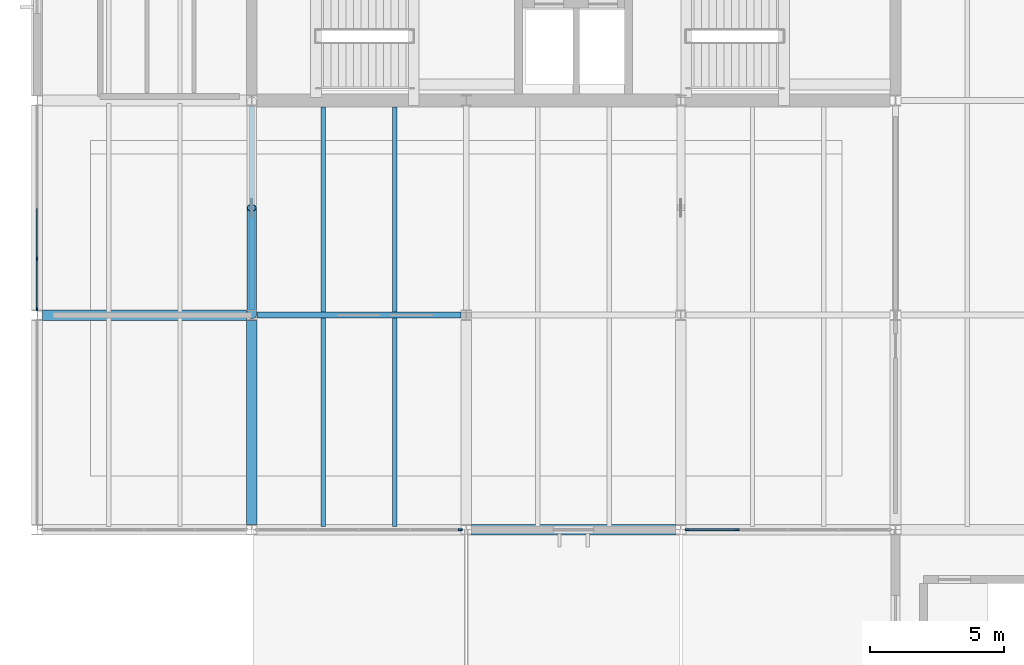
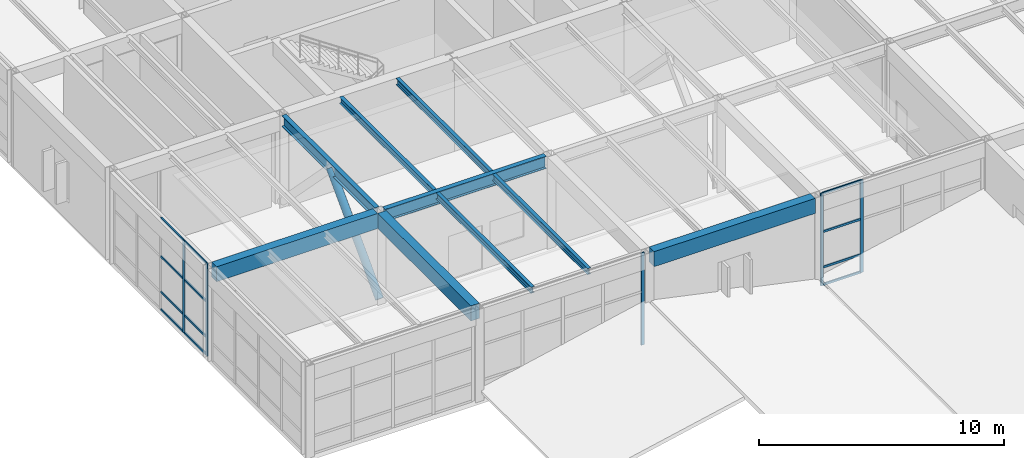
# One storey, part 10 of 60: 18 members, 9 beams, 3 elements without a shape of their own.
"""IFC4 building model written with IfcOpenShell, lengths in metres."""

import ifcopenshell
import ifcopenshell.guid

model = None  # the IFC model being written
_history = None  # IfcOwnerHistory: only IFC2X3 demands one
_inside = {}  # id of a spatial element -> (the spatial element, [elements in it])
_under = {}  # id of a project, library or spatial element -> (it, [spatial elements below it])
_declared = {}  # id of a project -> (the project, [libraries it declares])
_typed = {}  # id of a type object -> (the type object, [elements of that type])
_made_of = {}  # id of a material, layer set ... -> (it, [elements and type objects made of it])


def new_model(schema):
    """Start an empty IFC model of exactly this schema.

    Asked for "IFC4X3", IfcOpenShell would pick the latest addendum, in which some entities
    have other attributes; the version numbers below select the first issue.
    IFC2X3 requires an IfcOwnerHistory on every rooted entity: one is made here for all.
    """
    global model, _history
    if schema == "IFC4X3":
        model = ifcopenshell.file(schema_version=(4, 3, 0, 0))
    else:
        model = ifcopenshell.file(schema=schema)
    _inside.clear()
    _under.clear()
    _declared.clear()
    _typed.clear()
    _made_of.clear()
    _history = None
    if model.schema == "IFC2X3":
        org = make("IfcOrganization", Name="unknown")
        user = make(
            "IfcPersonAndOrganization",
            ThePerson=make("IfcPerson", FamilyName="unknown"),
            TheOrganization=org,
        )
        app = make(
            "IfcApplication",
            ApplicationDeveloper=org,
            Version="unknown",
            ApplicationFullName="unknown",
            ApplicationIdentifier="unknown",
        )
        _history = make(
            "IfcOwnerHistory",
            OwningUser=user,
            OwningApplication=app,
            ChangeAction="ADDED",
            CreationDate=0,
        )
    return model


def make(cls, **values):
    """One entity of the class cls with the attributes given. An attribute that is None is left unset."""
    return model.create_entity(
        cls, **{name: value for name, value in values.items() if value is not None}
    )


def rooted(cls, **values):
    """An entity with a GlobalId (a new one), such as an element, a storey or a relation."""
    return make(cls, GlobalId=ifcopenshell.guid.new(), OwnerHistory=_history, **values)


def si_unit(unit_type, name, prefix=None):
    """IfcSIUnit, for example si_unit("LENGTHUNIT", "METRE", prefix="MILLI")."""
    return make("IfcSIUnit", UnitType=unit_type, Prefix=prefix, Name=name)


def assignment(units):
    """IfcUnitAssignment: the units of a project."""
    return None if units is None else make("IfcUnitAssignment", Units=units)


def point(xyz):
    """IfcCartesianPoint."""
    return None if xyz is None else make("IfcCartesianPoint", Coordinates=xyz)


def direction(xyz):
    """IfcDirection."""
    return None if xyz is None else make("IfcDirection", DirectionRatios=xyz)


def frame(location, z_axis=None, x_axis=None):
    """IfcAxis2Placement3D, a coordinate frame: its origin and axes. An axis left out is left unset."""
    return make(
        "IfcAxis2Placement3D",
        Location=point(location),
        Axis=direction(z_axis),
        RefDirection=direction(x_axis),
    )


def frame_2d(location, x_axis=None):
    """IfcAxis2Placement2D, a coordinate frame in the plane: its origin and x axis."""
    return make(
        "IfcAxis2Placement2D", Location=point(location), RefDirection=direction(x_axis)
    )


def origin():
    """The frame at (0, 0, 0) with its axes left unset."""
    return frame((0.0, 0.0, 0.0))


def origin_2d():
    """The frame at (0, 0) in the plane with its x axis left unset."""
    return frame_2d((0.0, 0.0))


def place(relative_to, where):
    """IfcLocalPlacement: puts the frame where relative to a parent placement (None: the world)."""
    return make(
        "IfcLocalPlacement", PlacementRelTo=relative_to, RelativePlacement=where
    )


def context(
    kind, dimensions, precision=None, world=None, true_north=None, identifier=None
):
    """IfcGeometricRepresentationContext, for example the 3D "Model" context."""
    return make(
        "IfcGeometricRepresentationContext",
        ContextIdentifier=identifier,
        ContextType=kind,
        CoordinateSpaceDimension=dimensions,
        Precision=precision,
        WorldCoordinateSystem=world,
        TrueNorth=true_north,
    )


def subcontext(parent, identifier, kind, view, scale=None):
    """IfcGeometricRepresentationSubContext, for example "Body" below "Model"."""
    return make(
        "IfcGeometricRepresentationSubContext",
        ContextIdentifier=identifier,
        ContextType=kind,
        ParentContext=parent,
        TargetScale=scale,
        TargetView=view,
    )


def project(units=None, contexts=None):
    """IfcProject with its units and contexts."""
    return rooted(
        "IfcProject",
        Name="project",
        RepresentationContexts=contexts,
        UnitsInContext=assignment(units),
    )


def spatial(cls, under=None, at=None, **own):
    """A site, building, storey or space (cls), placed at a placement, below another one or the project."""
    s = rooted(cls, ObjectPlacement=at, **own)
    if under is not None:
        _under.setdefault(under.id(), (under, []))[1].append(s)
    return s


def profile(cls, at=None, kind="AREA", **sizes):
    """A parametric profile (cls). Its sizes go by their IFC names, for example OverallWidth=200.0."""
    return make(cls, ProfileType=kind, Position=at, **sizes)


def rectangle(**sizes):
    """IfcRectangleProfileDef."""
    return profile("IfcRectangleProfileDef", **sizes)


def hollow_circle(**sizes):
    """IfcCircleHollowProfileDef."""
    return profile("IfcCircleHollowProfileDef", **sizes)


def i_section(**sizes):
    """IfcIShapeProfileDef."""
    return profile("IfcIShapeProfileDef", **sizes)


def extrude(swept, where, along, depth):
    """IfcExtrudedAreaSolid: the profile swept, set in the frame where, extruded along a direction by depth."""
    return make(
        "IfcExtrudedAreaSolid",
        SweptArea=swept,
        Position=where,
        ExtrudedDirection=direction(along),
        Depth=depth,
    )


def shape(context_of_items, identifier, shape_type, items):
    """IfcShapeRepresentation: the items that make up one representation, for example the "Body"."""
    return make(
        "IfcShapeRepresentation",
        ContextOfItems=context_of_items,
        RepresentationIdentifier=identifier,
        RepresentationType=shape_type,
        Items=items,
    )


def material(Name=None, Category=None):
    """IfcMaterial."""
    return make("IfcMaterial", Name=Name, Category=Category)


def layer(
    of_material, thickness, ventilated=None, Name=None, Category=None, Priority=None
):
    """IfcMaterialLayer: one layer of a wall or slab, of a material (None: an air gap)."""
    return make(
        "IfcMaterialLayer",
        Material=of_material,
        LayerThickness=thickness,
        IsVentilated=ventilated,
        Name=Name,
        Category=Category,
        Priority=Priority,
    )


def layer_set(layers, Name=None):
    """IfcMaterialLayerSet."""
    return make("IfcMaterialLayerSet", MaterialLayers=layers, LayerSetName=Name)


def material_profile(
    of_material, cross_section, Name=None, Category=None, Priority=None
):
    """IfcMaterialProfile: a cross section and its material."""
    return make(
        "IfcMaterialProfile",
        Name=Name,
        Material=of_material,
        Profile=cross_section,
        Priority=Priority,
        Category=Category,
    )


def profile_set(profiles, Name=None, composite=None):
    """IfcMaterialProfileSet."""
    return make(
        "IfcMaterialProfileSet",
        Name=Name,
        MaterialProfiles=profiles,
        CompositeProfile=composite,
    )


def made_of(thing, what):
    """Note that an element or type object is made of a material, layer set ...; save() writes the relation."""
    if what is not None:
        _made_of.setdefault(what.id(), (what, []))[1].append(thing)
    return thing


def type_object(cls, material=None, **own):
    """A type object (cls), such as IfcWallType, which elements share."""
    return made_of(rooted(cls, **own), material)


def element(
    cls,
    number,
    at=None,
    inside=None,
    cuts=None,
    type_object=None,
    material=None,
    context=None,
    identifier="Body",
    shape_type=None,
    held_by="IfcProductDefinitionShape",
    body=None,
    shapes=None,
    **own,
):
    """One element of the class cls, such as IfcWall. Its Tag is "e" and its number.

    at: its placement. inside: the storey or other place that contains it. cuts: it is an
    opening in that element (IfcRelVoidsElement). A single representation is given by context,
    identifier, shape_type and body (its items); several are given by shapes. held_by: the class
    of the entity that holds the representations. save() writes the other relations.
    """
    e = rooted(cls, Tag="e%d" % number, ObjectPlacement=at, **own)
    if body is not None:
        shapes = [shape(context, identifier, shape_type, body)]
    if shapes is not None:
        e.Representation = make(held_by, Representations=shapes)
    if inside is not None:
        _inside.setdefault(inside.id(), (inside, []))[1].append(e)
    if cuts is not None:
        rooted(
            "IfcRelVoidsElement", RelatingBuildingElement=cuts, RelatedOpeningElement=e
        )
    if type_object is not None:
        _typed.setdefault(type_object.id(), (type_object, []))[1].append(e)
    return made_of(e, material)


def aggregate(whole, parts):
    """IfcRelAggregates: a whole, such as a stair, and the parts it consists of."""
    return rooted("IfcRelAggregates", RelatingObject=whole, RelatedObjects=parts)


def save(model, path):
    """Write the relations noted so far, then the file.

    IfcRelAggregates (storeys below a building ...), IfcRelContainedInSpatialStructure (elements
    in a storey), IfcRelDefinesByType, IfcRelAssociatesMaterial and IfcRelDeclares: one each for
    every whole, place, type object, material and project.
    """
    for whole, parts in _under.values():
        aggregate(whole, parts)
    for where, things in _inside.values():
        rooted(
            "IfcRelContainedInSpatialStructure",
            RelatedElements=things,
            RelatingStructure=where,
        )
    for kind, things in _typed.values():
        rooted("IfcRelDefinesByType", RelatedObjects=things, RelatingType=kind)
    for what, things in _made_of.values():
        rooted("IfcRelAssociatesMaterial", RelatedObjects=things, RelatingMaterial=what)
    for by, libraries in _declared.values():
        rooted("IfcRelDeclares", RelatingContext=by, RelatedDefinitions=libraries)
    model.write(path)


model = new_model("IFC4")

# Units and contexts
model_context = context("Model", 3, precision=1e-05, world=origin(), true_north=direction((0.0, 1.0)))
body_context = subcontext(model_context, "Body", "Model", "MODEL_VIEW")
ifc_project = project(units=[si_unit("LENGTHUNIT", "METRE"), si_unit("AREAUNIT", "SQUARE_METRE"), si_unit("VOLUMEUNIT", "CUBIC_METRE"), si_unit("PLANEANGLEUNIT", "RADIAN"), si_unit("MASSUNIT", "GRAM", prefix="KILO")], contexts=[model_context])

# Site, building, storey
site_placement = place(None, origin())
site = spatial("IfcSite", under=ifc_project, at=site_placement, CompositionType="ELEMENT")
building_placement = place(site_placement, origin())
building = spatial("IfcBuilding", under=site, at=building_placement, Name="Varnela Railside Interchange", CompositionType="ELEMENT")
storey_placement = place(building_placement, frame((0.0, 0.0, 6.300048828125)))
storey = spatial("IfcBuildingStorey", under=building, at=storey_placement, Name="L01", CompositionType="ELEMENT", Elevation=6.300048828125)

# Beams
ifc_material_1 = material(Name="Steel AR 350 (350 MPa)", Category="steel")
ifc_material_profile_1 = material_profile(ifc_material_1, i_section(OverallWidth=0.1650390625, OverallDepth=0.31005859375, WebThickness=0.005859375, FlangeThickness=0.009765625, at=origin_2d()), Name="W310x38.7")
ifc_profile_set_1 = profile_set([ifc_material_profile_1], Name="Steel AR 350 (350 MPa)")
beam_type_1 = type_object("IfcBeamType", Name="Composite Floor Joist J-04", PredefinedType="JOIST", material=ifc_profile_set_1)
for number, where, z_axis, x_axis, name in (
    (1, (14.669921875, 38.114501953125, 4.445068359375), (0.0, 1.0, 0.0), (-1.0, 0.0, 0.0), "Composite Floor Joist J-04 (L01) (BM-1538)"),
    (2, (17.330078125, 38.114501953125, 4.445068359375), (0.0, 1.0, 0.0), (-1.0, 0.0, 0.0), "Composite Floor Joist J-04 (L01) (BM-1539)"),
):
    element("IfcBeam", number, at=place(storey_placement, frame(where, z_axis=z_axis, x_axis=x_axis)), inside=storey, type_object=beam_type_1, Name=name, PredefinedType="JOIST", context=body_context, shape_type="SweptSolid", body=[
        extrude(i_section(OverallWidth=0.1650390625, OverallDepth=0.31005859375, WebThickness=0.005859375, FlangeThickness=0.009765625, at=origin_2d()), origin(), (0.0, 0.0, 1.0), 7.77099609375),
    ])
for number, where, z_axis, x_axis, name in (
    (3, (14.669921875, 46.114501953125, 4.445068359375), (0.0, 1.0, 0.0), (-1.0, 0.0, 0.0), "Composite Floor Joist J-04 (L01) (BM-1540)"),
    (4, (17.330078125, 46.114501953125, 4.445068359375), (0.0, 1.0, 0.0), (-1.0, 0.0, 0.0), "Composite Floor Joist J-04 (L01) (BM-1541)"),
):
    element("IfcBeam", number, at=place(storey_placement, frame(where, z_axis=z_axis, x_axis=x_axis)), inside=storey, type_object=beam_type_1, Name=name, PredefinedType="JOIST", context=body_context, shape_type="SweptSolid", body=[
        extrude(i_section(OverallWidth=0.1650390625, OverallDepth=0.31005859375, WebThickness=0.005859375, FlangeThickness=0.009765625, at=origin_2d()), origin(), (0.0, 0.0, 1.0), 7.6455078125),
    ])
ifc_material_profile_2 = material_profile(ifc_material_1, i_section(OverallWidth=0.2119140625, OverallDepth=0.5439453125, WebThickness=0.01318359375, FlangeThickness=0.021240234375, at=origin_2d()), Name="W530x123")
ifc_profile_set_2 = profile_set([ifc_material_profile_2], Name="Steel AR 350 (350 MPa)")
beam_type_2 = type_object("IfcBeamType", Name="Composite Heavy Girder B-16", PredefinedType="BEAM", material=ifc_profile_set_2)
beam_1_placement = place(storey_placement, frame((12.0, 46.193603515625, 4.327880859375), z_axis=(0.0, 1.0, 0.0), x_axis=(-1.0, 0.0, 0.0)))
element("IfcBeam", 5, at=beam_1_placement, inside=storey, type_object=beam_type_2, Name="Composite Heavy Girder B-16 (L01) (BM-1751)", PredefinedType="BEAM", context=body_context, shape_type="SweptSolid", body=[
    extrude(i_section(OverallWidth=0.2119140625, OverallDepth=0.5439453125, WebThickness=0.01318359375, FlangeThickness=0.021240234375, at=origin_2d()), origin(), (0.0, 0.0, 1.0), 7.60693359375),
])

# Curtain wall, members
ifc_material_2 = material(Name="Aluminium 6063-T6", Category="aluminium")
ifc_layer = layer(ifc_material_2, 0.035888671875)
ifc_layer_set = layer_set([ifc_layer], Name="Aluminium 6063-T6")
curtain_wall_type = type_object("IfcCurtainWallType", Name="Operations Wing Facade Curtain Wall CW-03", PredefinedType="USERDEFINED", material=ifc_layer_set)
curtain_wall_1_placement = place(storey_placement, origin())
curtain_wall_1 = element("IfcCurtainWall", 6, at=curtain_wall_1_placement, inside=storey, type_object=curtain_wall_type, Name="Curtain Wall CW-03 (L01) (CW-027)", ObjectType="CURTAIN WALL", PredefinedType="USERDEFINED")
ifc_material_profile_3 = material_profile(ifc_material_2, rectangle(XDim=0.06005859375, YDim=0.139892578125, at=origin_2d()), Name="ALU 60x140")
ifc_profile_set_3 = profile_set([ifc_material_profile_3], Name="Aluminium 6063-T6")
member_type_1 = type_object("IfcMemberType", Name="Curtain Wall Mullion ML-01", PredefinedType="MULLION", material=ifc_profile_set_3)
member_1_placement = place(storey_placement, frame((4.0, 46.223388671875, 0.0), z_axis=(0.0, 0.0, 1.0), x_axis=(-1.0, 0.0, 0.0)))
member_1 = element("IfcMember", 7, at=member_1_placement, type_object=member_type_1, Name="CW-03 mullion 1", PredefinedType="MULLION", context=body_context, shape_type="SweptSolid", body=[
    extrude(rectangle(XDim=0.06005859375, YDim=0.139892578125, at=origin_2d()), origin(), (0.0, 0.0, 1.0), 4.599853515625),
])
member_2_placement = place(storey_placement, frame((4.0, 48.0966796875, 0.0), z_axis=(0.0, 0.0, 1.0), x_axis=(-1.0, 0.0, 0.0)))
member_2 = element("IfcMember", 8, at=member_2_placement, type_object=member_type_1, Name="CW-03 mullion 2", PredefinedType="MULLION", context=body_context, shape_type="SweptSolid", body=[
    extrude(rectangle(XDim=0.06005859375, YDim=0.139892578125, at=origin_2d()), origin(), (0.0, 0.0, 1.0), 4.599853515625),
])

curtain_wall_2_placement = place(storey_placement, origin())
curtain_wall_2 = element("IfcCurtainWall", 9, at=curtain_wall_2_placement, inside=storey, type_object=curtain_wall_type, Name="Curtain Wall CW-03 (L01) (CW-042)", ObjectType="CURTAIN WALL", PredefinedType="USERDEFINED")
member_3_placement = place(storey_placement, frame((30.099609375, 38.0, 0.0), z_axis=(0.0, 0.0, 1.0), x_axis=(0.0, -1.0, 0.0)))
member_3 = element("IfcMember", 10, at=member_3_placement, type_object=member_type_1, Name="CW-03 mullion 4", PredefinedType="MULLION", context=body_context, shape_type="SweptSolid", body=[
    extrude(rectangle(XDim=0.06005859375, YDim=0.139892578125, at=origin_2d()), origin(), (0.0, 0.0, 1.0), 4.599853515625),
])
member_4_placement = place(storey_placement, frame((28.22900390625, 38.0, 0.0), z_axis=(0.0, 0.0, 1.0), x_axis=(0.0, -1.0, 0.0)))
member_4 = element("IfcMember", 11, at=member_4_placement, type_object=member_type_1, Name="CW-03 mullion 5", PredefinedType="MULLION", context=body_context, shape_type="SweptSolid", body=[
    extrude(rectangle(XDim=0.06005859375, YDim=0.139892578125, at=origin_2d()), origin(), (0.0, 0.0, 1.0), 4.599853515625),
])

# Curtain wall, member
curtain_wall_3_placement = place(storey_placement, origin())
curtain_wall_3 = element("IfcCurtainWall", 12, at=curtain_wall_3_placement, inside=storey, type_object=curtain_wall_type, Name="Curtain Wall CW-03 (L01) (CW-043)", ObjectType="CURTAIN WALL", PredefinedType="USERDEFINED")
member_5_placement = place(storey_placement, frame((19.77099609375, 38.0, 0.0), z_axis=(0.0, 0.0, 1.0), x_axis=(0.0, -1.0, 0.0)))
member_5 = element("IfcMember", 13, at=member_5_placement, type_object=member_type_1, Name="CW-03 mullion 1", PredefinedType="MULLION", context=body_context, shape_type="SweptSolid", body=[
    extrude(rectangle(XDim=0.06005859375, YDim=0.139892578125, at=origin_2d()), origin(), (0.0, 0.0, 1.0), 4.599853515625),
])
aggregate(curtain_wall_3, [member_5])

# Member
ifc_material_profile_4 = material_profile(ifc_material_2, rectangle(XDim=0.06005859375, YDim=0.110107421875, at=origin_2d()), Name="ALU 60x110")
ifc_profile_set_4 = profile_set([ifc_material_profile_4], Name="Aluminium 6063-T6")
member_type_2 = type_object("IfcMemberType", Name="Curtain Wall Transom TR-01", PredefinedType="USERDEFINED", material=ifc_profile_set_4)
member_6_placement = place(storey_placement, frame((4.0, 46.25341796875, 0.030029296875), z_axis=(0.0, 1.0, 0.0), x_axis=(-1.0, 0.0, 0.0)))
member_6 = element("IfcMember", 14, at=member_6_placement, type_object=member_type_2, Name="CW-03 transom 1.1", ObjectType="TRANSOM", PredefinedType="USERDEFINED", context=body_context, shape_type="SweptSolid", body=[
    extrude(rectangle(XDim=0.06005859375, YDim=0.110107421875, at=origin_2d()), origin(), (0.0, 0.0, 1.0), 1.813232421875),
])

member_7_placement = place(storey_placement, frame((4.0, 46.25341796875, 0.89990234375), z_axis=(0.0, 1.0, 0.0), x_axis=(-1.0, 0.0, 0.0)))
member_7 = element("IfcMember", 15, at=member_7_placement, type_object=member_type_2, Name="CW-03 transom 1.2", ObjectType="TRANSOM", PredefinedType="USERDEFINED", context=body_context, shape_type="SweptSolid", body=[
    extrude(rectangle(XDim=0.06005859375, YDim=0.110107421875, at=origin_2d()), origin(), (0.0, 0.0, 1.0), 1.813232421875),
])

member_8_placement = place(storey_placement, frame((4.0, 46.25341796875, 2.66796875), z_axis=(0.0, 1.0, 0.0), x_axis=(-1.0, 0.0, 0.0)))
member_8 = element("IfcMember", 16, at=member_8_placement, type_object=member_type_2, Name="CW-03 transom 1.3", ObjectType="TRANSOM", PredefinedType="USERDEFINED", context=body_context, shape_type="SweptSolid", body=[
    extrude(rectangle(XDim=0.06005859375, YDim=0.110107421875, at=origin_2d()), origin(), (0.0, 0.0, 1.0), 1.813232421875),
])

member_9_placement = place(storey_placement, frame((4.0, 46.25341796875, 4.570068359375), z_axis=(0.0, 1.0, 0.0), x_axis=(-1.0, 0.0, 0.0)))
member_9 = element("IfcMember", 17, at=member_9_placement, type_object=member_type_2, Name="CW-03 transom 1.4", ObjectType="TRANSOM", PredefinedType="USERDEFINED", context=body_context, shape_type="SweptSolid", body=[
    extrude(rectangle(XDim=0.06005859375, YDim=0.110107421875, at=origin_2d()), origin(), (0.0, 0.0, 1.0), 1.813232421875),
])

member_10_placement = place(storey_placement, frame((4.0, 48.126708984375, 0.030029296875), z_axis=(0.0, 1.0, 0.0), x_axis=(-1.0, 0.0, 0.0)))
member_10 = element("IfcMember", 18, at=member_10_placement, type_object=member_type_2, Name="CW-03 transom 2.1", ObjectType="TRANSOM", PredefinedType="USERDEFINED", context=body_context, shape_type="SweptSolid", body=[
    extrude(rectangle(XDim=0.06005859375, YDim=0.110107421875, at=origin_2d()), origin(), (0.0, 0.0, 1.0), 1.84326171875),
])

member_11_placement = place(storey_placement, frame((4.0, 48.126708984375, 0.89990234375), z_axis=(0.0, 1.0, 0.0), x_axis=(-1.0, 0.0, 0.0)))
member_11 = element("IfcMember", 19, at=member_11_placement, type_object=member_type_2, Name="CW-03 transom 2.2", ObjectType="TRANSOM", PredefinedType="USERDEFINED", context=body_context, shape_type="SweptSolid", body=[
    extrude(rectangle(XDim=0.06005859375, YDim=0.110107421875, at=origin_2d()), origin(), (0.0, 0.0, 1.0), 1.84326171875),
])

member_12_placement = place(storey_placement, frame((4.0, 48.126708984375, 2.66796875), z_axis=(0.0, 1.0, 0.0), x_axis=(-1.0, 0.0, 0.0)))
member_12 = element("IfcMember", 20, at=member_12_placement, type_object=member_type_2, Name="CW-03 transom 2.3", ObjectType="TRANSOM", PredefinedType="USERDEFINED", context=body_context, shape_type="SweptSolid", body=[
    extrude(rectangle(XDim=0.06005859375, YDim=0.110107421875, at=origin_2d()), origin(), (0.0, 0.0, 1.0), 1.84326171875),
])

member_13_placement = place(storey_placement, frame((4.0, 48.126708984375, 4.570068359375), z_axis=(0.0, 1.0, 0.0), x_axis=(-1.0, 0.0, 0.0)))
member_13 = element("IfcMember", 21, at=member_13_placement, type_object=member_type_2, Name="CW-03 transom 2.4", ObjectType="TRANSOM", PredefinedType="USERDEFINED", context=body_context, shape_type="SweptSolid", body=[
    extrude(rectangle(XDim=0.06005859375, YDim=0.110107421875, at=origin_2d()), origin(), (0.0, 0.0, 1.0), 1.84326171875),
])

aggregate(curtain_wall_1, [member_1, member_2, member_6, member_7, member_8, member_9, member_10, member_11, member_12, member_13])

member_14_placement = place(storey_placement, frame((30.069580078125, 38.0, 0.030029296875), z_axis=(-1.0, 0.0, 0.0), x_axis=(0.0, -1.0, 0.0)))
member_14 = element("IfcMember", 22, at=member_14_placement, type_object=member_type_2, Name="CW-03 transom 4.1", ObjectType="TRANSOM", PredefinedType="USERDEFINED", context=body_context, shape_type="SweptSolid", body=[
    extrude(rectangle(XDim=0.06005859375, YDim=0.110107421875, at=origin_2d()), origin(), (0.0, 0.0, 1.0), 1.810546875),
])

member_15_placement = place(storey_placement, frame((30.069580078125, 38.0, 0.89990234375), z_axis=(-1.0, 0.0, 0.0), x_axis=(0.0, -1.0, 0.0)))
member_15 = element("IfcMember", 23, at=member_15_placement, type_object=member_type_2, Name="CW-03 transom 4.2", ObjectType="TRANSOM", PredefinedType="USERDEFINED", context=body_context, shape_type="SweptSolid", body=[
    extrude(rectangle(XDim=0.06005859375, YDim=0.110107421875, at=origin_2d()), origin(), (0.0, 0.0, 1.0), 1.810546875),
])

member_16_placement = place(storey_placement, frame((30.069580078125, 38.0, 2.66796875), z_axis=(-1.0, 0.0, 0.0), x_axis=(0.0, -1.0, 0.0)))
member_16 = element("IfcMember", 24, at=member_16_placement, type_object=member_type_2, Name="CW-03 transom 4.3", ObjectType="TRANSOM", PredefinedType="USERDEFINED", context=body_context, shape_type="SweptSolid", body=[
    extrude(rectangle(XDim=0.06005859375, YDim=0.110107421875, at=origin_2d()), origin(), (0.0, 0.0, 1.0), 1.810546875),
])

member_17_placement = place(storey_placement, frame((30.069580078125, 38.0, 4.570068359375), z_axis=(-1.0, 0.0, 0.0), x_axis=(0.0, -1.0, 0.0)))
member_17 = element("IfcMember", 25, at=member_17_placement, type_object=member_type_2, Name="CW-03 transom 4.4", ObjectType="TRANSOM", PredefinedType="USERDEFINED", context=body_context, shape_type="SweptSolid", body=[
    extrude(rectangle(XDim=0.06005859375, YDim=0.110107421875, at=origin_2d()), origin(), (0.0, 0.0, 1.0), 1.810546875),
])

aggregate(curtain_wall_2, [member_3, member_4, member_14, member_15, member_16, member_17])

# Beams
ifc_material_profile_5 = material_profile(ifc_material_1, i_section(OverallWidth=0.22900390625, OverallDepth=0.612060546875, WebThickness=0.011962890625, FlangeThickness=0.01953125, at=origin_2d()), Name="W610x125")
ifc_profile_set_5 = profile_set([ifc_material_profile_5], Name="Steel AR 350 (350 MPa)")
beam_type_3 = type_object("IfcBeamType", Name="Podium Composite Girder B-15", PredefinedType="BEAM", material=ifc_profile_set_5)
beam_2_placement = place(storey_placement, frame((12.198974609375, 46.0, 4.2939453125), z_axis=(1.0, 0.0, 0.0), x_axis=(0.0, 1.0, 0.0)))
element("IfcBeam", 26, at=beam_2_placement, inside=storey, type_object=beam_type_3, Name="Podium Composite Girder B-15 (L01) (BM-1627)", PredefinedType="BEAM", context=body_context, shape_type="SweptSolid", body=[
    extrude(i_section(OverallWidth=0.22900390625, OverallDepth=0.612060546875, WebThickness=0.011962890625, FlangeThickness=0.01953125, at=origin_2d()), origin(), (0.0, 0.0, 1.0), 7.60205078125),
])
ifc_material_3 = material(Name="Concrete C40 precast", Category="concrete")
ifc_material_profile_6 = material_profile(ifc_material_3, rectangle(XDim=0.39990234375, YDim=0.75, at=origin_2d()), Name="PC 400x750")
ifc_profile_set_6 = profile_set([ifc_material_profile_6], Name="Concrete C40 precast")
beam_type_4 = type_object("IfcBeamType", Name="Precast Facade Spandrel SP-03", PredefinedType="SPANDREL", material=ifc_profile_set_6)
for number, where, z_axis, x_axis, name in (
    (27, (20.198974609375, 38.0, 4.224853515625), (1.0, 0.0, 0.0), (0.0, 1.0, 0.0), "Precast Facade Spandrel SP-03 (L01) (BM-1612)"),
    (28, (4.198974609375, 46.0, 4.224853515625), (1.0, 0.0, 0.0), (0.0, 1.0, 0.0), "Precast Facade Spandrel SP-03 (L01) (BM-1636)"),
):
    element("IfcBeam", number, at=place(storey_placement, frame(where, z_axis=z_axis, x_axis=x_axis)), inside=storey, type_object=beam_type_4, Name=name, PredefinedType="SPANDREL", context=body_context, shape_type="SweptSolid", body=[
        extrude(rectangle(XDim=0.39990234375, YDim=0.75, at=origin_2d()), origin(), (0.0, 0.0, 1.0), 7.60205078125),
    ])
beam_3_placement = place(storey_placement, frame((12.0, 38.193603515625, 4.224853515625), z_axis=(0.0, 1.0, 0.0), x_axis=(-1.0, 0.0, 0.0)))
element("IfcBeam", 29, at=beam_3_placement, inside=storey, type_object=beam_type_4, Name="Precast Facade Spandrel SP-03 (L01) (BM-1750)", PredefinedType="SPANDREL", context=body_context, shape_type="SweptSolid", body=[
    extrude(rectangle(XDim=0.39990234375, YDim=0.75, at=origin_2d()), origin(), (0.0, 0.0, 1.0), 7.61279296875),
])

# Member
ifc_material_profile_7 = material_profile(ifc_material_1, hollow_circle(Radius=0.177734375, WallThickness=0.02001953125, at=origin_2d()), Name="CHS 355.6x20")
ifc_profile_set_7 = profile_set([ifc_material_profile_7], Name="Steel AR 350 (350 MPa)")
member_type_3 = type_object("IfcMemberType", Name="Tubular Core Brace BR-10", PredefinedType="BRACE", material=ifc_profile_set_7)
member_18_placement = place(storey_placement, frame((12.0, 46.0, 0.14990234375), z_axis=(0.0, 0.698315330267, 0.715790262238), x_axis=(-1.0, 0.0, 0.0)))
element("IfcMember", 30, at=member_18_placement, inside=storey, type_object=member_type_3, Name="Tubular Core Brace BR-10 (L01) (MB-0071)", PredefinedType="BRACE", context=body_context, shape_type="SweptSolid", body=[
    extrude(hollow_circle(Radius=0.177734375, WallThickness=0.02001953125, at=origin_2d()), origin(), (0.0, 0.0, 1.0), 5.72802734375),
])

save(model, "model.ifc")
